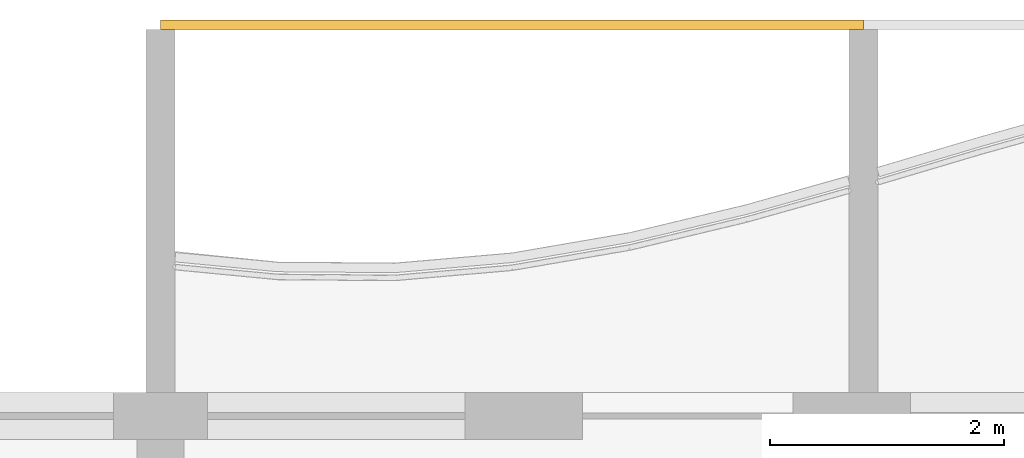
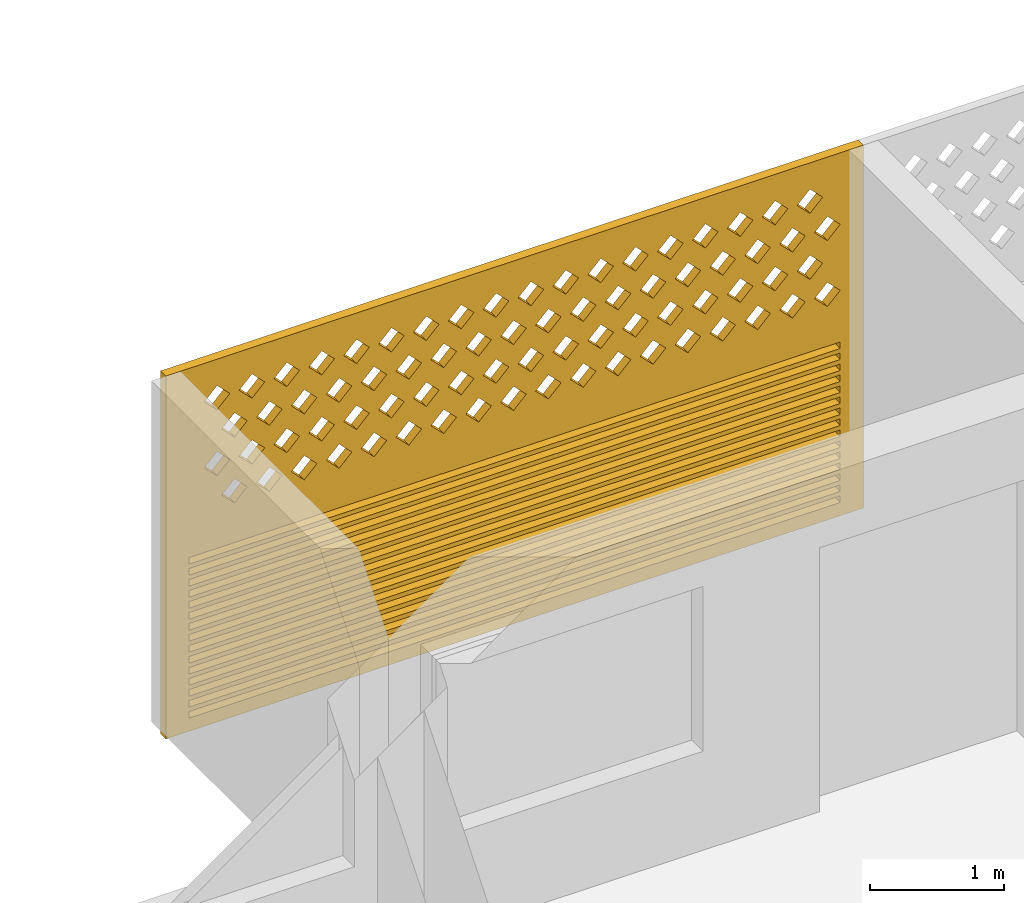
# One storey, part 36 of 38: 1 covering.
"""IFC4 building model written with IfcOpenShell, lengths in metres."""

from ifc_helpers import new_model, si_unit, direction, frame, origin, place, context, subcontext, project, spatial, polyline, outline, extrude, source, transform, mapped, material, material_profile, profile_set, type_object, element, save


model = new_model("IFC4")

# Units and contexts
model_context = context("Model", 3, precision=1e-05, world=origin(), true_north=direction((0.0, 1.0)))
body_context = subcontext(model_context, "Body", "Model", "MODEL_VIEW")
ifc_project = project(units=[si_unit("LENGTHUNIT", "METRE"), si_unit("AREAUNIT", "SQUARE_METRE"), si_unit("VOLUMEUNIT", "CUBIC_METRE"), si_unit("PLANEANGLEUNIT", "RADIAN"), si_unit("MASSUNIT", "GRAM", prefix="KILO")], contexts=[model_context])

# Site, building, storey
site_placement = place(None, origin())
site = spatial("IfcSite", under=ifc_project, at=site_placement, CompositionType="ELEMENT")
building_placement = place(site_placement, origin())
building = spatial("IfcBuilding", under=site, at=building_placement, Name="Poui Terraces", CompositionType="ELEMENT")
storey_placement = place(building_placement, frame((0.0, 0.0, 46.5)))
storey = spatial("IfcBuildingStorey", under=building, at=storey_placement, Name="L12", CompositionType="ELEMENT", Elevation=46.5)

# Covering
ifc_material = material(Name="Terracotta screen", Category="masonry")
ifc_material_profile = material_profile(ifc_material, outline(polyline([(-3.0, -1.64990234375), (3.0, -1.64990234375), (3.0, 1.64990234375), (-3.0, 1.64990234375), (-3.0, -1.64990234375)]), holes=[polyline([(-2.800048828125, 0.39990234375), (-2.68994140625, 0.2900390625), (-2.580078125, 0.39990234375), (-2.68994140625, 0.510009765625), (-2.800048828125, 0.39990234375)]), polyline([(-2.5, 0.39990234375), (-2.389892578125, 0.2900390625), (-2.280029296875, 0.39990234375), (-2.389892578125, 0.510009765625), (-2.5, 0.39990234375)]), polyline([(-2.199951171875, 0.39990234375), (-2.090087890625, 0.2900390625), (-1.97998046875, 0.39990234375), (-2.090087890625, 0.510009765625), (-2.199951171875, 0.39990234375)]), polyline([(-1.89990234375, 0.39990234375), (-1.7900390625, 0.2900390625), (-1.679931640625, 0.39990234375), (-1.7900390625, 0.510009765625), (-1.89990234375, 0.39990234375)]), polyline([(-1.60009765625, 0.39990234375), (-1.489990234375, 0.2900390625), (-1.3798828125, 0.39990234375), (-1.489990234375, 0.510009765625), (-1.60009765625, 0.39990234375)]), polyline([(-1.300048828125, 0.39990234375), (-1.18994140625, 0.2900390625), (-1.080078125, 0.39990234375), (-1.18994140625, 0.510009765625), (-1.300048828125, 0.39990234375)]), polyline([(-1.0, 0.39990234375), (-0.889892578125, 0.2900390625), (-0.780029296875, 0.39990234375), (-0.889892578125, 0.510009765625), (-1.0, 0.39990234375)]), polyline([(-0.699951171875, 0.39990234375), (-0.590087890625, 0.2900390625), (-0.47998046875, 0.39990234375), (-0.590087890625, 0.510009765625), (-0.699951171875, 0.39990234375)]), polyline([(-0.39990234375, 0.39990234375), (-0.2900390625, 0.2900390625), (-0.179931640625, 0.39990234375), (-0.2900390625, 0.510009765625), (-0.39990234375, 0.39990234375)]), polyline([(-0.10009765625, 0.39990234375), (0.010009765625, 0.2900390625), (0.1201171875, 0.39990234375), (0.010009765625, 0.510009765625), (-0.10009765625, 0.39990234375)]), polyline([(0.199951171875, 0.39990234375), (0.31005859375, 0.2900390625), (0.419921875, 0.39990234375), (0.31005859375, 0.510009765625), (0.199951171875, 0.39990234375)]), polyline([(0.5, 0.39990234375), (0.610107421875, 0.2900390625), (0.719970703125, 0.39990234375), (0.610107421875, 0.510009765625), (0.5, 0.39990234375)]), polyline([(0.800048828125, 0.39990234375), (0.909912109375, 0.2900390625), (1.02001953125, 0.39990234375), (0.909912109375, 0.510009765625), (0.800048828125, 0.39990234375)]), polyline([(1.10009765625, 0.39990234375), (1.2099609375, 0.2900390625), (1.320068359375, 0.39990234375), (1.2099609375, 0.510009765625), (1.10009765625, 0.39990234375)]), polyline([(1.39990234375, 0.39990234375), (1.510009765625, 0.2900390625), (1.6201171875, 0.39990234375), (1.510009765625, 0.510009765625), (1.39990234375, 0.39990234375)]), polyline([(1.699951171875, 0.39990234375), (1.81005859375, 0.2900390625), (1.919921875, 0.39990234375), (1.81005859375, 0.510009765625), (1.699951171875, 0.39990234375)]), polyline([(2.0, 0.39990234375), (2.110107421875, 0.2900390625), (2.219970703125, 0.39990234375), (2.110107421875, 0.510009765625), (2.0, 0.39990234375)]), polyline([(2.300048828125, 0.39990234375), (2.409912109375, 0.2900390625), (2.52001953125, 0.39990234375), (2.409912109375, 0.510009765625), (2.300048828125, 0.39990234375)]), polyline([(-2.64990234375, 0.699951171875), (-2.5400390625, 0.590087890625), (-2.429931640625, 0.699951171875), (-2.5400390625, 0.81005859375), (-2.64990234375, 0.699951171875)]), polyline([(-2.35009765625, 0.699951171875), (-2.239990234375, 0.590087890625), (-2.1298828125, 0.699951171875), (-2.239990234375, 0.81005859375), (-2.35009765625, 0.699951171875)]), polyline([(-2.050048828125, 0.699951171875), (-1.93994140625, 0.590087890625), (-1.830078125, 0.699951171875), (-1.93994140625, 0.81005859375), (-2.050048828125, 0.699951171875)]), polyline([(-1.75, 0.699951171875), (-1.639892578125, 0.590087890625), (-1.530029296875, 0.699951171875), (-1.639892578125, 0.81005859375), (-1.75, 0.699951171875)]), polyline([(-1.449951171875, 0.699951171875), (-1.340087890625, 0.590087890625), (-1.22998046875, 0.699951171875), (-1.340087890625, 0.81005859375), (-1.449951171875, 0.699951171875)]), polyline([(-1.14990234375, 0.699951171875), (-1.0400390625, 0.590087890625), (-0.929931640625, 0.699951171875), (-1.0400390625, 0.81005859375), (-1.14990234375, 0.699951171875)]), polyline([(-0.85009765625, 0.699951171875), (-0.739990234375, 0.590087890625), (-0.6298828125, 0.699951171875), (-0.739990234375, 0.81005859375), (-0.85009765625, 0.699951171875)]), polyline([(-0.550048828125, 0.699951171875), (-0.43994140625, 0.590087890625), (-0.330078125, 0.699951171875), (-0.43994140625, 0.81005859375), (-0.550048828125, 0.699951171875)]), polyline([(-0.25, 0.699951171875), (-0.139892578125, 0.590087890625), (-0.030029296875, 0.699951171875), (-0.139892578125, 0.81005859375), (-0.25, 0.699951171875)]), polyline([(0.050048828125, 0.699951171875), (0.159912109375, 0.590087890625), (0.27001953125, 0.699951171875), (0.159912109375, 0.81005859375), (0.050048828125, 0.699951171875)]), polyline([(0.35009765625, 0.699951171875), (0.4599609375, 0.590087890625), (0.570068359375, 0.699951171875), (0.4599609375, 0.81005859375), (0.35009765625, 0.699951171875)]), polyline([(0.64990234375, 0.699951171875), (0.760009765625, 0.590087890625), (0.8701171875, 0.699951171875), (0.760009765625, 0.81005859375), (0.64990234375, 0.699951171875)]), polyline([(0.949951171875, 0.699951171875), (1.06005859375, 0.590087890625), (1.169921875, 0.699951171875), (1.06005859375, 0.81005859375), (0.949951171875, 0.699951171875)]), polyline([(1.25, 0.699951171875), (1.360107421875, 0.590087890625), (1.469970703125, 0.699951171875), (1.360107421875, 0.81005859375), (1.25, 0.699951171875)]), polyline([(1.550048828125, 0.699951171875), (1.659912109375, 0.590087890625), (1.77001953125, 0.699951171875), (1.659912109375, 0.81005859375), (1.550048828125, 0.699951171875)]), polyline([(1.85009765625, 0.699951171875), (1.9599609375, 0.590087890625), (2.070068359375, 0.699951171875), (1.9599609375, 0.81005859375), (1.85009765625, 0.699951171875)]), polyline([(2.14990234375, 0.699951171875), (2.260009765625, 0.590087890625), (2.3701171875, 0.699951171875), (2.260009765625, 0.81005859375), (2.14990234375, 0.699951171875)]), polyline([(2.449951171875, 0.699951171875), (2.56005859375, 0.590087890625), (2.669921875, 0.699951171875), (2.56005859375, 0.81005859375), (2.449951171875, 0.699951171875)]), polyline([(-2.800048828125, 1.0), (-2.68994140625, 0.889892578125), (-2.580078125, 1.0), (-2.68994140625, 1.110107421875), (-2.800048828125, 1.0)]), polyline([(-2.5, 1.0), (-2.389892578125, 0.889892578125), (-2.280029296875, 1.0), (-2.389892578125, 1.110107421875), (-2.5, 1.0)]), polyline([(-2.199951171875, 1.0), (-2.090087890625, 0.889892578125), (-1.97998046875, 1.0), (-2.090087890625, 1.110107421875), (-2.199951171875, 1.0)]), polyline([(-1.89990234375, 1.0), (-1.7900390625, 0.889892578125), (-1.679931640625, 1.0), (-1.7900390625, 1.110107421875), (-1.89990234375, 1.0)]), polyline([(-1.60009765625, 1.0), (-1.489990234375, 0.889892578125), (-1.3798828125, 1.0), (-1.489990234375, 1.110107421875), (-1.60009765625, 1.0)]), polyline([(-1.300048828125, 1.0), (-1.18994140625, 0.889892578125), (-1.080078125, 1.0), (-1.18994140625, 1.110107421875), (-1.300048828125, 1.0)]), polyline([(-1.0, 1.0), (-0.889892578125, 0.889892578125), (-0.780029296875, 1.0), (-0.889892578125, 1.110107421875), (-1.0, 1.0)]), polyline([(-0.699951171875, 1.0), (-0.590087890625, 0.889892578125), (-0.47998046875, 1.0), (-0.590087890625, 1.110107421875), (-0.699951171875, 1.0)]), polyline([(-0.39990234375, 1.0), (-0.2900390625, 0.889892578125), (-0.179931640625, 1.0), (-0.2900390625, 1.110107421875), (-0.39990234375, 1.0)]), polyline([(-0.10009765625, 1.0), (0.010009765625, 0.889892578125), (0.1201171875, 1.0), (0.010009765625, 1.110107421875), (-0.10009765625, 1.0)]), polyline([(0.199951171875, 1.0), (0.31005859375, 0.889892578125), (0.419921875, 1.0), (0.31005859375, 1.110107421875), (0.199951171875, 1.0)]), polyline([(0.5, 1.0), (0.610107421875, 0.889892578125), (0.719970703125, 1.0), (0.610107421875, 1.110107421875), (0.5, 1.0)]), polyline([(0.800048828125, 1.0), (0.909912109375, 0.889892578125), (1.02001953125, 1.0), (0.909912109375, 1.110107421875), (0.800048828125, 1.0)]), polyline([(1.10009765625, 1.0), (1.2099609375, 0.889892578125), (1.320068359375, 1.0), (1.2099609375, 1.110107421875), (1.10009765625, 1.0)]), polyline([(1.39990234375, 1.0), (1.510009765625, 0.889892578125), (1.6201171875, 1.0), (1.510009765625, 1.110107421875), (1.39990234375, 1.0)]), polyline([(1.699951171875, 1.0), (1.81005859375, 0.889892578125), (1.919921875, 1.0), (1.81005859375, 1.110107421875), (1.699951171875, 1.0)]), polyline([(2.0, 1.0), (2.110107421875, 0.889892578125), (2.219970703125, 1.0), (2.110107421875, 1.110107421875), (2.0, 1.0)]), polyline([(2.300048828125, 1.0), (2.409912109375, 0.889892578125), (2.52001953125, 1.0), (2.409912109375, 1.110107421875), (2.300048828125, 1.0)]), polyline([(-2.64990234375, 1.300048828125), (-2.5400390625, 1.18994140625), (-2.429931640625, 1.300048828125), (-2.5400390625, 1.409912109375), (-2.64990234375, 1.300048828125)]), polyline([(-2.35009765625, 1.300048828125), (-2.239990234375, 1.18994140625), (-2.1298828125, 1.300048828125), (-2.239990234375, 1.409912109375), (-2.35009765625, 1.300048828125)]), polyline([(-2.050048828125, 1.300048828125), (-1.93994140625, 1.18994140625), (-1.830078125, 1.300048828125), (-1.93994140625, 1.409912109375), (-2.050048828125, 1.300048828125)]), polyline([(-1.75, 1.300048828125), (-1.639892578125, 1.18994140625), (-1.530029296875, 1.300048828125), (-1.639892578125, 1.409912109375), (-1.75, 1.300048828125)]), polyline([(-1.449951171875, 1.300048828125), (-1.340087890625, 1.18994140625), (-1.22998046875, 1.300048828125), (-1.340087890625, 1.409912109375), (-1.449951171875, 1.300048828125)]), polyline([(-1.14990234375, 1.300048828125), (-1.0400390625, 1.18994140625), (-0.929931640625, 1.300048828125), (-1.0400390625, 1.409912109375), (-1.14990234375, 1.300048828125)]), polyline([(-0.85009765625, 1.300048828125), (-0.739990234375, 1.18994140625), (-0.6298828125, 1.300048828125), (-0.739990234375, 1.409912109375), (-0.85009765625, 1.300048828125)]), polyline([(-0.550048828125, 1.300048828125), (-0.43994140625, 1.18994140625), (-0.330078125, 1.300048828125), (-0.43994140625, 1.409912109375), (-0.550048828125, 1.300048828125)]), polyline([(-0.25, 1.300048828125), (-0.139892578125, 1.18994140625), (-0.030029296875, 1.300048828125), (-0.139892578125, 1.409912109375), (-0.25, 1.300048828125)]), polyline([(0.050048828125, 1.300048828125), (0.159912109375, 1.18994140625), (0.27001953125, 1.300048828125), (0.159912109375, 1.409912109375), (0.050048828125, 1.300048828125)]), polyline([(0.35009765625, 1.300048828125), (0.4599609375, 1.18994140625), (0.570068359375, 1.300048828125), (0.4599609375, 1.409912109375), (0.35009765625, 1.300048828125)]), polyline([(0.64990234375, 1.300048828125), (0.760009765625, 1.18994140625), (0.8701171875, 1.300048828125), (0.760009765625, 1.409912109375), (0.64990234375, 1.300048828125)]), polyline([(0.949951171875, 1.300048828125), (1.06005859375, 1.18994140625), (1.169921875, 1.300048828125), (1.06005859375, 1.409912109375), (0.949951171875, 1.300048828125)]), polyline([(1.25, 1.300048828125), (1.360107421875, 1.18994140625), (1.469970703125, 1.300048828125), (1.360107421875, 1.409912109375), (1.25, 1.300048828125)]), polyline([(1.550048828125, 1.300048828125), (1.659912109375, 1.18994140625), (1.77001953125, 1.300048828125), (1.659912109375, 1.409912109375), (1.550048828125, 1.300048828125)]), polyline([(1.85009765625, 1.300048828125), (1.9599609375, 1.18994140625), (2.070068359375, 1.300048828125), (1.9599609375, 1.409912109375), (1.85009765625, 1.300048828125)]), polyline([(2.14990234375, 1.300048828125), (2.260009765625, 1.18994140625), (2.3701171875, 1.300048828125), (2.260009765625, 1.409912109375), (2.14990234375, 1.300048828125)]), polyline([(2.449951171875, 1.300048828125), (2.56005859375, 1.18994140625), (2.669921875, 1.300048828125), (2.56005859375, 1.409912109375), (2.449951171875, 1.300048828125)]), polyline([(-2.800048828125, -1.530029296875), (2.800048828125, -1.530029296875), (2.800048828125, -1.469970703125), (-2.800048828125, -1.469970703125), (-2.800048828125, -1.530029296875)]), polyline([(-2.800048828125, -1.429931640625), (2.800048828125, -1.429931640625), (2.800048828125, -1.3701171875), (-2.800048828125, -1.3701171875), (-2.800048828125, -1.429931640625)]), polyline([(-2.800048828125, -1.330078125), (2.800048828125, -1.330078125), (2.800048828125, -1.27001953125), (-2.800048828125, -1.27001953125), (-2.800048828125, -1.330078125)]), polyline([(-2.800048828125, -1.22998046875), (2.800048828125, -1.22998046875), (2.800048828125, -1.169921875), (-2.800048828125, -1.169921875), (-2.800048828125, -1.22998046875)]), polyline([(-2.800048828125, -1.1298828125), (2.800048828125, -1.1298828125), (2.800048828125, -1.070068359375), (-2.800048828125, -1.070068359375), (-2.800048828125, -1.1298828125)]), polyline([(-2.800048828125, -1.030029296875), (2.800048828125, -1.030029296875), (2.800048828125, -0.969970703125), (-2.800048828125, -0.969970703125), (-2.800048828125, -1.030029296875)]), polyline([(-2.800048828125, -0.929931640625), (2.800048828125, -0.929931640625), (2.800048828125, -0.8701171875), (-2.800048828125, -0.8701171875), (-2.800048828125, -0.929931640625)]), polyline([(-2.800048828125, -0.830078125), (2.800048828125, -0.830078125), (2.800048828125, -0.77001953125), (-2.800048828125, -0.77001953125), (-2.800048828125, -0.830078125)]), polyline([(-2.800048828125, -0.72998046875), (2.800048828125, -0.72998046875), (2.800048828125, -0.669921875), (-2.800048828125, -0.669921875), (-2.800048828125, -0.72998046875)]), polyline([(-2.800048828125, -0.6298828125), (2.800048828125, -0.6298828125), (2.800048828125, -0.570068359375), (-2.800048828125, -0.570068359375), (-2.800048828125, -0.6298828125)]), polyline([(-2.800048828125, -0.530029296875), (2.800048828125, -0.530029296875), (2.800048828125, -0.469970703125), (-2.800048828125, -0.469970703125), (-2.800048828125, -0.530029296875)]), polyline([(-2.800048828125, -0.429931640625), (2.800048828125, -0.429931640625), (2.800048828125, -0.3701171875), (-2.800048828125, -0.3701171875), (-2.800048828125, -0.429931640625)]), polyline([(-2.800048828125, -0.330078125), (2.800048828125, -0.330078125), (2.800048828125, -0.27001953125), (-2.800048828125, -0.27001953125), (-2.800048828125, -0.330078125)]), polyline([(-2.800048828125, -0.22998046875), (2.800048828125, -0.22998046875), (2.800048828125, -0.169921875), (-2.800048828125, -0.169921875), (-2.800048828125, -0.22998046875)]), polyline([(-2.800048828125, -0.1298828125), (2.800048828125, -0.1298828125), (2.800048828125, -0.070068359375), (-2.800048828125, -0.070068359375), (-2.800048828125, -0.1298828125)])]), Name="TERRACOTTA SCREEN AND JALOUSIE LOUVRE 6000X3300")
ifc_profile_set = profile_set([ifc_material_profile], Name="Terracotta screen")
covering_type = type_object("IfcCoveringType", Name="TERRACOTTA SCREEN AND JALOUSIE LOUVRE 6000X3300", PredefinedType="CLADDING", material=ifc_profile_set)
shared_shape = source(origin(), body_context, "Body", "SweptSolid", [
    extrude(outline(polyline([(-3.0, -1.64990234375), (3.0, -1.64990234375), (3.0, 1.64990234375), (-3.0, 1.64990234375), (-3.0, -1.64990234375)]), holes=[polyline([(-2.800048828125, 0.39990234375), (-2.68994140625, 0.2900390625), (-2.580078125, 0.39990234375), (-2.68994140625, 0.510009765625), (-2.800048828125, 0.39990234375)]), polyline([(-2.5, 0.39990234375), (-2.389892578125, 0.2900390625), (-2.280029296875, 0.39990234375), (-2.389892578125, 0.510009765625), (-2.5, 0.39990234375)]), polyline([(-2.199951171875, 0.39990234375), (-2.090087890625, 0.2900390625), (-1.97998046875, 0.39990234375), (-2.090087890625, 0.510009765625), (-2.199951171875, 0.39990234375)]), polyline([(-1.89990234375, 0.39990234375), (-1.7900390625, 0.2900390625), (-1.679931640625, 0.39990234375), (-1.7900390625, 0.510009765625), (-1.89990234375, 0.39990234375)]), polyline([(-1.60009765625, 0.39990234375), (-1.489990234375, 0.2900390625), (-1.3798828125, 0.39990234375), (-1.489990234375, 0.510009765625), (-1.60009765625, 0.39990234375)]), polyline([(-1.300048828125, 0.39990234375), (-1.18994140625, 0.2900390625), (-1.080078125, 0.39990234375), (-1.18994140625, 0.510009765625), (-1.300048828125, 0.39990234375)]), polyline([(-1.0, 0.39990234375), (-0.889892578125, 0.2900390625), (-0.780029296875, 0.39990234375), (-0.889892578125, 0.510009765625), (-1.0, 0.39990234375)]), polyline([(-0.699951171875, 0.39990234375), (-0.590087890625, 0.2900390625), (-0.47998046875, 0.39990234375), (-0.590087890625, 0.510009765625), (-0.699951171875, 0.39990234375)]), polyline([(-0.39990234375, 0.39990234375), (-0.2900390625, 0.2900390625), (-0.179931640625, 0.39990234375), (-0.2900390625, 0.510009765625), (-0.39990234375, 0.39990234375)]), polyline([(-0.10009765625, 0.39990234375), (0.010009765625, 0.2900390625), (0.1201171875, 0.39990234375), (0.010009765625, 0.510009765625), (-0.10009765625, 0.39990234375)]), polyline([(0.199951171875, 0.39990234375), (0.31005859375, 0.2900390625), (0.419921875, 0.39990234375), (0.31005859375, 0.510009765625), (0.199951171875, 0.39990234375)]), polyline([(0.5, 0.39990234375), (0.610107421875, 0.2900390625), (0.719970703125, 0.39990234375), (0.610107421875, 0.510009765625), (0.5, 0.39990234375)]), polyline([(0.800048828125, 0.39990234375), (0.909912109375, 0.2900390625), (1.02001953125, 0.39990234375), (0.909912109375, 0.510009765625), (0.800048828125, 0.39990234375)]), polyline([(1.10009765625, 0.39990234375), (1.2099609375, 0.2900390625), (1.320068359375, 0.39990234375), (1.2099609375, 0.510009765625), (1.10009765625, 0.39990234375)]), polyline([(1.39990234375, 0.39990234375), (1.510009765625, 0.2900390625), (1.6201171875, 0.39990234375), (1.510009765625, 0.510009765625), (1.39990234375, 0.39990234375)]), polyline([(1.699951171875, 0.39990234375), (1.81005859375, 0.2900390625), (1.919921875, 0.39990234375), (1.81005859375, 0.510009765625), (1.699951171875, 0.39990234375)]), polyline([(2.0, 0.39990234375), (2.110107421875, 0.2900390625), (2.219970703125, 0.39990234375), (2.110107421875, 0.510009765625), (2.0, 0.39990234375)]), polyline([(2.300048828125, 0.39990234375), (2.409912109375, 0.2900390625), (2.52001953125, 0.39990234375), (2.409912109375, 0.510009765625), (2.300048828125, 0.39990234375)]), polyline([(-2.64990234375, 0.699951171875), (-2.5400390625, 0.590087890625), (-2.429931640625, 0.699951171875), (-2.5400390625, 0.81005859375), (-2.64990234375, 0.699951171875)]), polyline([(-2.35009765625, 0.699951171875), (-2.239990234375, 0.590087890625), (-2.1298828125, 0.699951171875), (-2.239990234375, 0.81005859375), (-2.35009765625, 0.699951171875)]), polyline([(-2.050048828125, 0.699951171875), (-1.93994140625, 0.590087890625), (-1.830078125, 0.699951171875), (-1.93994140625, 0.81005859375), (-2.050048828125, 0.699951171875)]), polyline([(-1.75, 0.699951171875), (-1.639892578125, 0.590087890625), (-1.530029296875, 0.699951171875), (-1.639892578125, 0.81005859375), (-1.75, 0.699951171875)]), polyline([(-1.449951171875, 0.699951171875), (-1.340087890625, 0.590087890625), (-1.22998046875, 0.699951171875), (-1.340087890625, 0.81005859375), (-1.449951171875, 0.699951171875)]), polyline([(-1.14990234375, 0.699951171875), (-1.0400390625, 0.590087890625), (-0.929931640625, 0.699951171875), (-1.0400390625, 0.81005859375), (-1.14990234375, 0.699951171875)]), polyline([(-0.85009765625, 0.699951171875), (-0.739990234375, 0.590087890625), (-0.6298828125, 0.699951171875), (-0.739990234375, 0.81005859375), (-0.85009765625, 0.699951171875)]), polyline([(-0.550048828125, 0.699951171875), (-0.43994140625, 0.590087890625), (-0.330078125, 0.699951171875), (-0.43994140625, 0.81005859375), (-0.550048828125, 0.699951171875)]), polyline([(-0.25, 0.699951171875), (-0.139892578125, 0.590087890625), (-0.030029296875, 0.699951171875), (-0.139892578125, 0.81005859375), (-0.25, 0.699951171875)]), polyline([(0.050048828125, 0.699951171875), (0.159912109375, 0.590087890625), (0.27001953125, 0.699951171875), (0.159912109375, 0.81005859375), (0.050048828125, 0.699951171875)]), polyline([(0.35009765625, 0.699951171875), (0.4599609375, 0.590087890625), (0.570068359375, 0.699951171875), (0.4599609375, 0.81005859375), (0.35009765625, 0.699951171875)]), polyline([(0.64990234375, 0.699951171875), (0.760009765625, 0.590087890625), (0.8701171875, 0.699951171875), (0.760009765625, 0.81005859375), (0.64990234375, 0.699951171875)]), polyline([(0.949951171875, 0.699951171875), (1.06005859375, 0.590087890625), (1.169921875, 0.699951171875), (1.06005859375, 0.81005859375), (0.949951171875, 0.699951171875)]), polyline([(1.25, 0.699951171875), (1.360107421875, 0.590087890625), (1.469970703125, 0.699951171875), (1.360107421875, 0.81005859375), (1.25, 0.699951171875)]), polyline([(1.550048828125, 0.699951171875), (1.659912109375, 0.590087890625), (1.77001953125, 0.699951171875), (1.659912109375, 0.81005859375), (1.550048828125, 0.699951171875)]), polyline([(1.85009765625, 0.699951171875), (1.9599609375, 0.590087890625), (2.070068359375, 0.699951171875), (1.9599609375, 0.81005859375), (1.85009765625, 0.699951171875)]), polyline([(2.14990234375, 0.699951171875), (2.260009765625, 0.590087890625), (2.3701171875, 0.699951171875), (2.260009765625, 0.81005859375), (2.14990234375, 0.699951171875)]), polyline([(2.449951171875, 0.699951171875), (2.56005859375, 0.590087890625), (2.669921875, 0.699951171875), (2.56005859375, 0.81005859375), (2.449951171875, 0.699951171875)]), polyline([(-2.800048828125, 1.0), (-2.68994140625, 0.889892578125), (-2.580078125, 1.0), (-2.68994140625, 1.110107421875), (-2.800048828125, 1.0)]), polyline([(-2.5, 1.0), (-2.389892578125, 0.889892578125), (-2.280029296875, 1.0), (-2.389892578125, 1.110107421875), (-2.5, 1.0)]), polyline([(-2.199951171875, 1.0), (-2.090087890625, 0.889892578125), (-1.97998046875, 1.0), (-2.090087890625, 1.110107421875), (-2.199951171875, 1.0)]), polyline([(-1.89990234375, 1.0), (-1.7900390625, 0.889892578125), (-1.679931640625, 1.0), (-1.7900390625, 1.110107421875), (-1.89990234375, 1.0)]), polyline([(-1.60009765625, 1.0), (-1.489990234375, 0.889892578125), (-1.3798828125, 1.0), (-1.489990234375, 1.110107421875), (-1.60009765625, 1.0)]), polyline([(-1.300048828125, 1.0), (-1.18994140625, 0.889892578125), (-1.080078125, 1.0), (-1.18994140625, 1.110107421875), (-1.300048828125, 1.0)]), polyline([(-1.0, 1.0), (-0.889892578125, 0.889892578125), (-0.780029296875, 1.0), (-0.889892578125, 1.110107421875), (-1.0, 1.0)]), polyline([(-0.699951171875, 1.0), (-0.590087890625, 0.889892578125), (-0.47998046875, 1.0), (-0.590087890625, 1.110107421875), (-0.699951171875, 1.0)]), polyline([(-0.39990234375, 1.0), (-0.2900390625, 0.889892578125), (-0.179931640625, 1.0), (-0.2900390625, 1.110107421875), (-0.39990234375, 1.0)]), polyline([(-0.10009765625, 1.0), (0.010009765625, 0.889892578125), (0.1201171875, 1.0), (0.010009765625, 1.110107421875), (-0.10009765625, 1.0)]), polyline([(0.199951171875, 1.0), (0.31005859375, 0.889892578125), (0.419921875, 1.0), (0.31005859375, 1.110107421875), (0.199951171875, 1.0)]), polyline([(0.5, 1.0), (0.610107421875, 0.889892578125), (0.719970703125, 1.0), (0.610107421875, 1.110107421875), (0.5, 1.0)]), polyline([(0.800048828125, 1.0), (0.909912109375, 0.889892578125), (1.02001953125, 1.0), (0.909912109375, 1.110107421875), (0.800048828125, 1.0)]), polyline([(1.10009765625, 1.0), (1.2099609375, 0.889892578125), (1.320068359375, 1.0), (1.2099609375, 1.110107421875), (1.10009765625, 1.0)]), polyline([(1.39990234375, 1.0), (1.510009765625, 0.889892578125), (1.6201171875, 1.0), (1.510009765625, 1.110107421875), (1.39990234375, 1.0)]), polyline([(1.699951171875, 1.0), (1.81005859375, 0.889892578125), (1.919921875, 1.0), (1.81005859375, 1.110107421875), (1.699951171875, 1.0)]), polyline([(2.0, 1.0), (2.110107421875, 0.889892578125), (2.219970703125, 1.0), (2.110107421875, 1.110107421875), (2.0, 1.0)]), polyline([(2.300048828125, 1.0), (2.409912109375, 0.889892578125), (2.52001953125, 1.0), (2.409912109375, 1.110107421875), (2.300048828125, 1.0)]), polyline([(-2.64990234375, 1.300048828125), (-2.5400390625, 1.18994140625), (-2.429931640625, 1.300048828125), (-2.5400390625, 1.409912109375), (-2.64990234375, 1.300048828125)]), polyline([(-2.35009765625, 1.300048828125), (-2.239990234375, 1.18994140625), (-2.1298828125, 1.300048828125), (-2.239990234375, 1.409912109375), (-2.35009765625, 1.300048828125)]), polyline([(-2.050048828125, 1.300048828125), (-1.93994140625, 1.18994140625), (-1.830078125, 1.300048828125), (-1.93994140625, 1.409912109375), (-2.050048828125, 1.300048828125)]), polyline([(-1.75, 1.300048828125), (-1.639892578125, 1.18994140625), (-1.530029296875, 1.300048828125), (-1.639892578125, 1.409912109375), (-1.75, 1.300048828125)]), polyline([(-1.449951171875, 1.300048828125), (-1.340087890625, 1.18994140625), (-1.22998046875, 1.300048828125), (-1.340087890625, 1.409912109375), (-1.449951171875, 1.300048828125)]), polyline([(-1.14990234375, 1.300048828125), (-1.0400390625, 1.18994140625), (-0.929931640625, 1.300048828125), (-1.0400390625, 1.409912109375), (-1.14990234375, 1.300048828125)]), polyline([(-0.85009765625, 1.300048828125), (-0.739990234375, 1.18994140625), (-0.6298828125, 1.300048828125), (-0.739990234375, 1.409912109375), (-0.85009765625, 1.300048828125)]), polyline([(-0.550048828125, 1.300048828125), (-0.43994140625, 1.18994140625), (-0.330078125, 1.300048828125), (-0.43994140625, 1.409912109375), (-0.550048828125, 1.300048828125)]), polyline([(-0.25, 1.300048828125), (-0.139892578125, 1.18994140625), (-0.030029296875, 1.300048828125), (-0.139892578125, 1.409912109375), (-0.25, 1.300048828125)]), polyline([(0.050048828125, 1.300048828125), (0.159912109375, 1.18994140625), (0.27001953125, 1.300048828125), (0.159912109375, 1.409912109375), (0.050048828125, 1.300048828125)]), polyline([(0.35009765625, 1.300048828125), (0.4599609375, 1.18994140625), (0.570068359375, 1.300048828125), (0.4599609375, 1.409912109375), (0.35009765625, 1.300048828125)]), polyline([(0.64990234375, 1.300048828125), (0.760009765625, 1.18994140625), (0.8701171875, 1.300048828125), (0.760009765625, 1.409912109375), (0.64990234375, 1.300048828125)]), polyline([(0.949951171875, 1.300048828125), (1.06005859375, 1.18994140625), (1.169921875, 1.300048828125), (1.06005859375, 1.409912109375), (0.949951171875, 1.300048828125)]), polyline([(1.25, 1.300048828125), (1.360107421875, 1.18994140625), (1.469970703125, 1.300048828125), (1.360107421875, 1.409912109375), (1.25, 1.300048828125)]), polyline([(1.550048828125, 1.300048828125), (1.659912109375, 1.18994140625), (1.77001953125, 1.300048828125), (1.659912109375, 1.409912109375), (1.550048828125, 1.300048828125)]), polyline([(1.85009765625, 1.300048828125), (1.9599609375, 1.18994140625), (2.070068359375, 1.300048828125), (1.9599609375, 1.409912109375), (1.85009765625, 1.300048828125)]), polyline([(2.14990234375, 1.300048828125), (2.260009765625, 1.18994140625), (2.3701171875, 1.300048828125), (2.260009765625, 1.409912109375), (2.14990234375, 1.300048828125)]), polyline([(2.449951171875, 1.300048828125), (2.56005859375, 1.18994140625), (2.669921875, 1.300048828125), (2.56005859375, 1.409912109375), (2.449951171875, 1.300048828125)]), polyline([(-2.800048828125, -1.530029296875), (2.800048828125, -1.530029296875), (2.800048828125, -1.469970703125), (-2.800048828125, -1.469970703125), (-2.800048828125, -1.530029296875)]), polyline([(-2.800048828125, -1.429931640625), (2.800048828125, -1.429931640625), (2.800048828125, -1.3701171875), (-2.800048828125, -1.3701171875), (-2.800048828125, -1.429931640625)]), polyline([(-2.800048828125, -1.330078125), (2.800048828125, -1.330078125), (2.800048828125, -1.27001953125), (-2.800048828125, -1.27001953125), (-2.800048828125, -1.330078125)]), polyline([(-2.800048828125, -1.22998046875), (2.800048828125, -1.22998046875), (2.800048828125, -1.169921875), (-2.800048828125, -1.169921875), (-2.800048828125, -1.22998046875)]), polyline([(-2.800048828125, -1.1298828125), (2.800048828125, -1.1298828125), (2.800048828125, -1.070068359375), (-2.800048828125, -1.070068359375), (-2.800048828125, -1.1298828125)]), polyline([(-2.800048828125, -1.030029296875), (2.800048828125, -1.030029296875), (2.800048828125, -0.969970703125), (-2.800048828125, -0.969970703125), (-2.800048828125, -1.030029296875)]), polyline([(-2.800048828125, -0.929931640625), (2.800048828125, -0.929931640625), (2.800048828125, -0.8701171875), (-2.800048828125, -0.8701171875), (-2.800048828125, -0.929931640625)]), polyline([(-2.800048828125, -0.830078125), (2.800048828125, -0.830078125), (2.800048828125, -0.77001953125), (-2.800048828125, -0.77001953125), (-2.800048828125, -0.830078125)]), polyline([(-2.800048828125, -0.72998046875), (2.800048828125, -0.72998046875), (2.800048828125, -0.669921875), (-2.800048828125, -0.669921875), (-2.800048828125, -0.72998046875)]), polyline([(-2.800048828125, -0.6298828125), (2.800048828125, -0.6298828125), (2.800048828125, -0.570068359375), (-2.800048828125, -0.570068359375), (-2.800048828125, -0.6298828125)]), polyline([(-2.800048828125, -0.530029296875), (2.800048828125, -0.530029296875), (2.800048828125, -0.469970703125), (-2.800048828125, -0.469970703125), (-2.800048828125, -0.530029296875)]), polyline([(-2.800048828125, -0.429931640625), (2.800048828125, -0.429931640625), (2.800048828125, -0.3701171875), (-2.800048828125, -0.3701171875), (-2.800048828125, -0.429931640625)]), polyline([(-2.800048828125, -0.330078125), (2.800048828125, -0.330078125), (2.800048828125, -0.27001953125), (-2.800048828125, -0.27001953125), (-2.800048828125, -0.330078125)]), polyline([(-2.800048828125, -0.22998046875), (2.800048828125, -0.22998046875), (2.800048828125, -0.169921875), (-2.800048828125, -0.169921875), (-2.800048828125, -0.22998046875)]), polyline([(-2.800048828125, -0.1298828125), (2.800048828125, -0.1298828125), (2.800048828125, -0.070068359375), (-2.800048828125, -0.070068359375), (-2.800048828125, -0.1298828125)])]), origin(), (0.0, 0.0, 1.0), 0.079833984375),
])
covering_placement = place(storey_placement, frame((87.0, 48.10009765625, 1.449951171875), z_axis=(0.0, 1.0, 0.0), x_axis=(-1.0, 0.0, 0.0)))
element("IfcCovering", 1, at=covering_placement, inside=storey, type_object=covering_type, Name="SOLAR SCREEN AND JALOUSIE LOUVRE", PredefinedType="CLADDING", context=body_context, shape_type="MappedRepresentation", body=[
    mapped(shared_shape, transform((0.0, 0.0, 0.0))),
])

save(model, "model.ifc")
